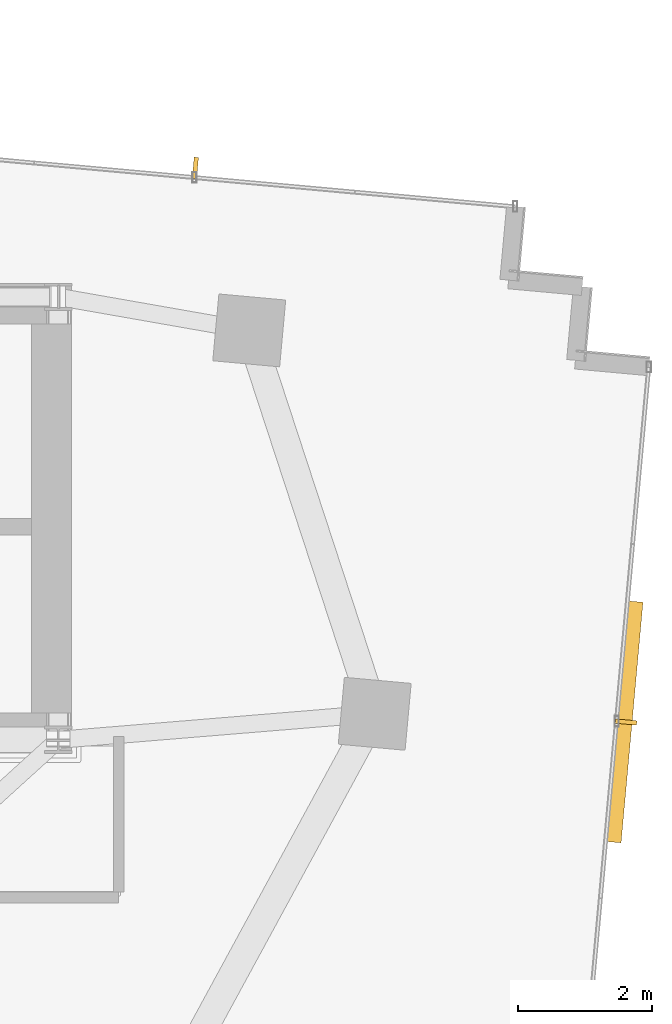
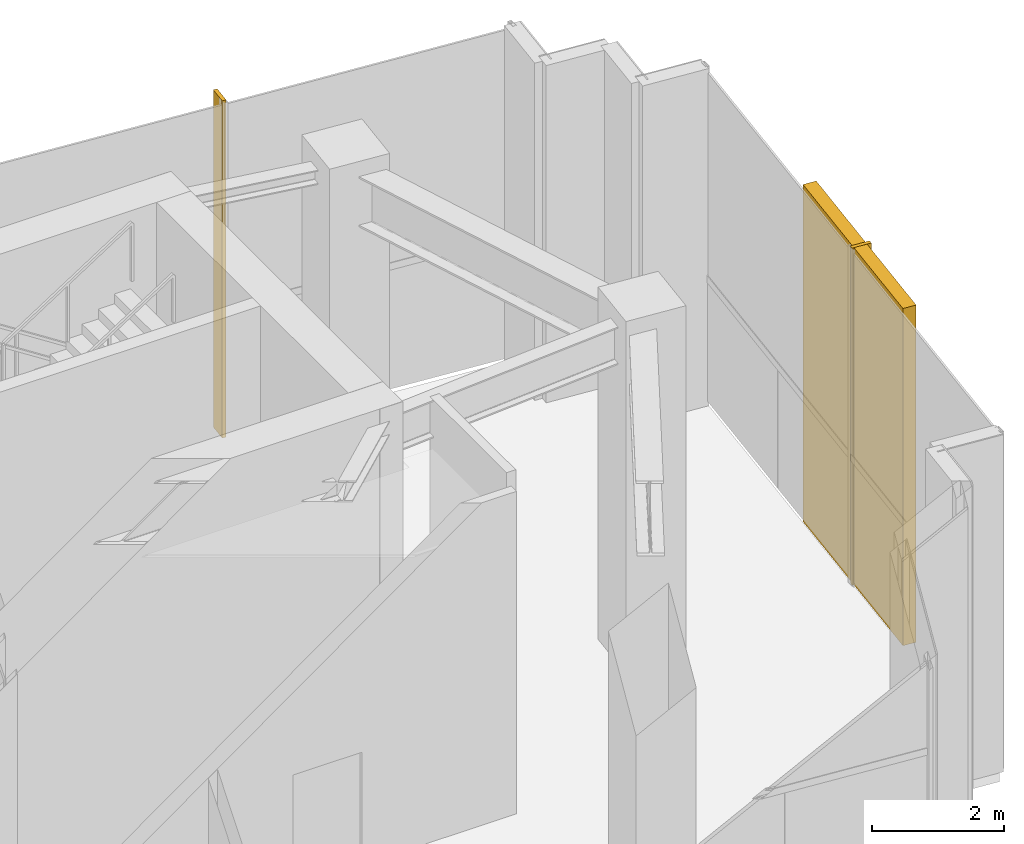
# One storey, part 18 of 18: 3 shading devices.
"""IFC4 building model written with IfcOpenShell, lengths in metres."""

from ifc_helpers import new_model, si_unit, direction, frame, origin, origin_2d, place, context, subcontext, project, spatial, rectangle, extrude, source, transform, mapped, material, type_object, type_shapes, element, save


model = new_model("IFC4")

# Units and contexts
model_context = context("Model", 3, precision=1e-05, world=origin(), true_north=direction((0.0, 1.0)))
body_context = subcontext(model_context, "Body", "Model", "MODEL_VIEW")
ifc_project = project(units=[si_unit("LENGTHUNIT", "METRE"), si_unit("AREAUNIT", "SQUARE_METRE"), si_unit("VOLUMEUNIT", "CUBIC_METRE"), si_unit("PLANEANGLEUNIT", "RADIAN"), si_unit("MASSUNIT", "GRAM", prefix="KILO")], contexts=[model_context])

# Site, building, storey
site_placement = place(None, origin())
site = spatial("IfcSite", under=ifc_project, at=site_placement, CompositionType="ELEMENT")
building_placement = place(site_placement, origin())
building = spatial("IfcBuilding", under=site, at=building_placement, Name="Astriad Promenade Condominiums", CompositionType="ELEMENT")
storey_placement = place(building_placement, frame((0.0, 0.0, 277.300048828125)))
storey = spatial("IfcBuildingStorey", under=building, at=storey_placement, Name="L78", CompositionType="ELEMENT", Elevation=277.300048828125)

# Shading devices
ifc_material_1 = material(Name="Anodised aluminium 6063-T6 Black Fin", Category="aluminium")
shading_device_type_1 = type_object("IfcShadingDeviceType", Name="FIN-BLACK-260", PredefinedType="USERDEFINED", material=ifc_material_1)
shared_shape_1 = source(origin(), body_context, "Body", "SweptSolid", [
    extrude(rectangle(XDim=0.06494140625, YDim=0.320068359375, at=origin_2d()), origin(), (0.0, 0.0, 1.0), 6.219970703125),
])
type_shapes(shading_device_type_1, [shared_shape_1])
for number, where, z_axis, x_axis, name in (
    (1, (47.64306640625, 25.9208984375, 0.0), (0.0, 0.0, 1.0), (0.995884398616, -0.090632580198, 0.0), "CW-CRN-L78-08-FIN-06"),
    (2, (54.061279296875, 17.665283203125, 0.0), (0.0, 0.0, 1.0), (-0.090632580198, -0.995884398616, 0.0), "CW-CRN-L78-13-FIN-01"),
):
    element("IfcShadingDevice", number, at=place(storey_placement, frame(where, z_axis=z_axis, x_axis=x_axis)), inside=storey, type_object=shading_device_type_1, Name=name, ObjectType="FIN", PredefinedType="USERDEFINED", context=body_context, shape_type="MappedRepresentation", body=[
        mapped(shared_shape_1, transform((0.0, 0.0, 0.0), scale=1.0)),
    ])
ifc_material_2 = material(Name="Anodised aluminium 6063-T6 Black Louvre", Category="aluminium")
shading_device_type_2 = type_object("IfcShadingDeviceType", Name="LOUVRE-ACOUSTIC-220", PredefinedType="JALOUSIE", material=ifc_material_2)
shared_shape_2 = source(origin(), body_context, "Body", "SweptSolid", [
    extrude(rectangle(XDim=3.60009765625, YDim=0.219970703125, at=origin_2d()), origin(), (0.0, 0.0, 1.0), 6.219970703125),
])
type_shapes(shading_device_type_2, [shared_shape_2])
shading_device_placement = place(storey_placement, frame((54.041259765625, 17.6669921875, 0.0), z_axis=(0.0, 0.0, 1.0), x_axis=(-0.090632580198, -0.995884398616, 0.0)))
element("IfcShadingDevice", 3, at=shading_device_placement, inside=storey, type_object=shading_device_type_2, Name="LVR-CRN-L78-13", PredefinedType="JALOUSIE", context=body_context, shape_type="MappedRepresentation", body=[
    mapped(shared_shape_2, transform((0.0, 0.0, 0.0), scale=1.0)),
])

save(model, "model.ifc")
